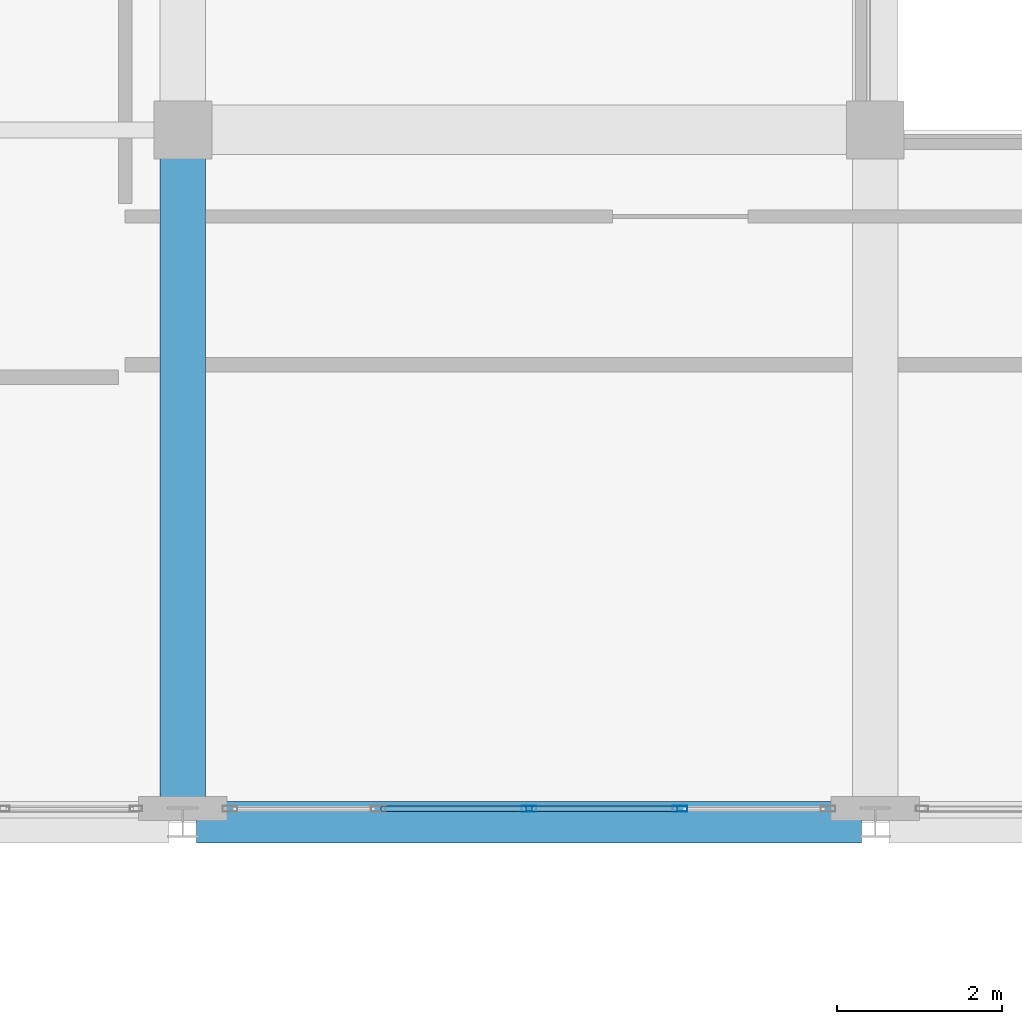
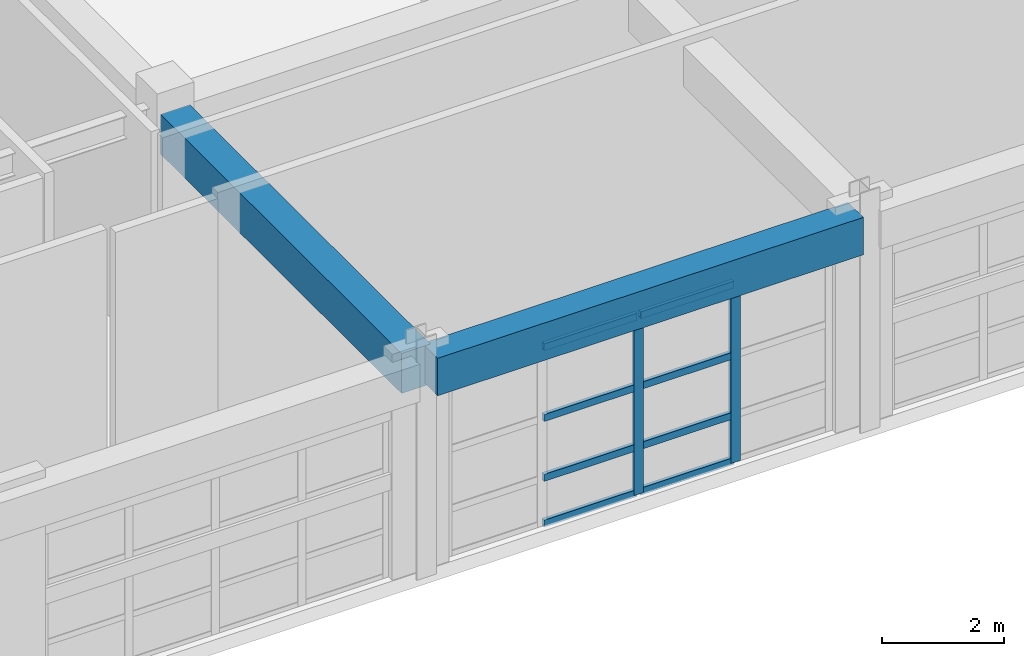
# One storey, part 32 of 123: 10 members, 2 beams, 1 element without a shape of its own.
"""IFC4 building model written with IfcOpenShell, lengths in metres."""

from ifc_helpers import new_model, si_unit, direction, frame, origin, origin_2d, place, context, subcontext, project, spatial, rectangle, hollow_rectangle, extrude, material, layer, layer_set, material_profile, profile_set, type_object, element, aggregate, save


model = new_model("IFC4")

# Units and contexts
model_context = context("Model", 3, precision=1e-05, world=origin(), true_north=direction((0.0, 1.0)))
body_context = subcontext(model_context, "Body", "Model", "MODEL_VIEW")
ifc_project = project(units=[si_unit("LENGTHUNIT", "METRE"), si_unit("AREAUNIT", "SQUARE_METRE"), si_unit("VOLUMEUNIT", "CUBIC_METRE"), si_unit("PLANEANGLEUNIT", "RADIAN"), si_unit("MASSUNIT", "GRAM", prefix="KILO")], contexts=[model_context])

# Site, building, storey
site_placement = place(None, origin())
site = spatial("IfcSite", under=ifc_project, at=site_placement, CompositionType="ELEMENT")
building_placement = place(site_placement, origin())
building = spatial("IfcBuilding", under=site, at=building_placement, Name="Quendrovan Civic Courthouse", CompositionType="ELEMENT")
storey_placement = place(building_placement, frame((0.0, 0.0, 5.39990234375)))
storey = spatial("IfcBuildingStorey", under=building, at=storey_placement, Name="L02", CompositionType="ELEMENT", Elevation=5.39990234375)

# Beams
ifc_material_1 = material(Name="Concrete C40/50", Category="concrete")
ifc_material_profile_1 = material_profile(ifc_material_1, rectangle(XDim=0.5, YDim=0.75, at=origin_2d()), Name="RC-BM-500x750")
ifc_profile_set_1 = profile_set([ifc_material_profile_1], Name="Concrete C40/50")
beam_type_1 = type_object("IfcBeamType", Name="BM-RC750", PredefinedType="SPANDREL", material=ifc_profile_set_1)
beam_1_placement = place(storey_placement, frame((42.1669921875, 64.800048828125, 3.985107421875), z_axis=(1.0, 0.0, 0.0), x_axis=(0.0, 1.0, 0.0)))
element("IfcBeam", 1, at=beam_1_placement, inside=storey, type_object=beam_type_1, Name="L02 Girder X0531", PredefinedType="SPANDREL", context=body_context, shape_type="SweptSolid", body=[
    extrude(rectangle(XDim=0.5, YDim=0.75, at=origin_2d()), origin(), (0.0, 0.0, 1.0), 8.06591796875),
])
ifc_material_profile_2 = material_profile(ifc_material_1, rectangle(XDim=0.550048828125, YDim=0.800048828125, at=origin_2d()), Name="RC-BM-550x800")
ifc_profile_set_2 = profile_set([ifc_material_profile_2], Name="Concrete C40/50")
beam_type_2 = type_object("IfcBeamType", Name="BM-RC800", PredefinedType="BEAM", material=ifc_profile_set_2)
beam_2_placement = place(storey_placement, frame((42.0, 64.966064453125, 3.960205078125), z_axis=(0.0, 1.0, 0.0), x_axis=(-1.0, 0.0, 0.0)))
element("IfcBeam", 2, at=beam_2_placement, inside=storey, type_object=beam_type_2, Name="L02 Girder Y0645", PredefinedType="BEAM", context=body_context, shape_type="SweptSolid", body=[
    extrude(rectangle(XDim=0.550048828125, YDim=0.800048828125, at=origin_2d()), origin(), (0.0, 0.0, 1.0), 7.904052734375),
])

# Curtain wall, members
ifc_material_2 = material(Name="Bronze anodised aluminium and low-E glass", Category="aluminium")
ifc_layer = layer(ifc_material_2, 0.179931640625, Name="Bronze anodised aluminium and low-E glass")
ifc_layer_set = layer_set([ifc_layer], Name="Bronze anodised aluminium and low-E glass")
curtain_wall_type = type_object("IfcCurtainWallType", Name="CW-U73x36", PredefinedType="USERDEFINED", material=ifc_layer_set)
curtain_wall_placement = place(storey_placement, origin())
curtain_wall = element("IfcCurtainWall", 3, at=curtain_wall_placement, inside=storey, type_object=curtain_wall_type, Name="L02 Unitised Hurricane Curtain Wall CW-112", ObjectType="UNITISED CURTAIN WALL", PredefinedType="USERDEFINED")
ifc_material_3 = material(Name="Bronze anodised aluminium", Category="aluminium")
ifc_material_profile_3 = material_profile(ifc_material_3, hollow_rectangle(XDim=0.070068359375, YDim=0.179931640625, WallThickness=0.00390625, at=origin_2d()), Name="CW-MULL-70x180")
ifc_profile_set_3 = profile_set([ifc_material_profile_3], Name="Bronze anodised aluminium")
member_type_1 = type_object("IfcMemberType", Name="CW-MULL-A", PredefinedType="MULLION", material=ifc_profile_set_3)
member_1_placement = place(storey_placement, frame((48.031494140625, 64.965087890625, 0.0), z_axis=(0.0, 0.0, 1.0), x_axis=(0.0, -1.0, 0.0)))
member_1 = element("IfcMember", 4, at=member_1_placement, type_object=member_type_1, Name="CW-112 mullion 2", PredefinedType="MULLION", context=body_context, shape_type="SweptSolid", body=[
    extrude(hollow_rectangle(XDim=0.070068359375, YDim=0.179931640625, WallThickness=0.00390625, at=origin_2d()), origin(), (0.0, 0.0, 1.0), 3.60009765625),
])
member_2_placement = place(storey_placement, frame((46.199951171875, 64.965087890625, 0.0), z_axis=(0.0, 0.0, 1.0), x_axis=(0.0, -1.0, 0.0)))
member_2 = element("IfcMember", 5, at=member_2_placement, type_object=member_type_1, Name="CW-112 mullion 3", PredefinedType="MULLION", context=body_context, shape_type="SweptSolid", body=[
    extrude(hollow_rectangle(XDim=0.070068359375, YDim=0.179931640625, WallThickness=0.00390625, at=origin_2d()), origin(), (0.0, 0.0, 1.0), 3.60009765625),
])
ifc_material_profile_4 = material_profile(ifc_material_3, hollow_rectangle(XDim=0.070068359375, YDim=0.139892578125, WallThickness=0.00390625, at=origin_2d()), Name="CW-TRAN-70x140")
ifc_profile_set_4 = profile_set([ifc_material_profile_4], Name="Bronze anodised aluminium")
member_type_2 = type_object("IfcMemberType", Name="CW-TRAN-A", PredefinedType="USERDEFINED", material=ifc_profile_set_4)
member_3_placement = place(storey_placement, frame((47.99658203125, 64.965087890625, 0.03515625), z_axis=(-1.0, 0.0, 0.0), x_axis=(0.0, -1.0, 0.0)))
member_3 = element("IfcMember", 6, at=member_3_placement, type_object=member_type_2, Name="CW-112 transom 2.1", ObjectType="TRANSOM", PredefinedType="USERDEFINED", context=body_context, shape_type="SweptSolid", body=[
    extrude(hollow_rectangle(XDim=0.070068359375, YDim=0.139892578125, WallThickness=0.00390625, at=origin_2d()), origin(), (0.0, 0.0, 1.0), 1.761474609375),
])
member_4_placement = place(storey_placement, frame((47.99658203125, 64.965087890625, 0.9501953125), z_axis=(-1.0, 0.0, 0.0), x_axis=(0.0, -1.0, 0.0)))
member_4 = element("IfcMember", 7, at=member_4_placement, type_object=member_type_2, Name="CW-112 transom 2.2", ObjectType="TRANSOM", PredefinedType="USERDEFINED", context=body_context, shape_type="SweptSolid", body=[
    extrude(hollow_rectangle(XDim=0.070068359375, YDim=0.139892578125, WallThickness=0.00390625, at=origin_2d()), origin(), (0.0, 0.0, 1.0), 1.761474609375),
])
member_5_placement = place(storey_placement, frame((47.99658203125, 64.965087890625, 2.150146484375), z_axis=(-1.0, 0.0, 0.0), x_axis=(0.0, -1.0, 0.0)))
member_5 = element("IfcMember", 8, at=member_5_placement, type_object=member_type_2, Name="CW-112 transom 2.3", ObjectType="TRANSOM", PredefinedType="USERDEFINED", context=body_context, shape_type="SweptSolid", body=[
    extrude(hollow_rectangle(XDim=0.070068359375, YDim=0.139892578125, WallThickness=0.00390625, at=origin_2d()), origin(), (0.0, 0.0, 1.0), 1.761474609375),
])
member_6_placement = place(storey_placement, frame((47.99658203125, 64.965087890625, 3.565185546875), z_axis=(-1.0, 0.0, 0.0), x_axis=(0.0, -1.0, 0.0)))
member_6 = element("IfcMember", 9, at=member_6_placement, type_object=member_type_2, Name="CW-112 transom 2.4", ObjectType="TRANSOM", PredefinedType="USERDEFINED", context=body_context, shape_type="SweptSolid", body=[
    extrude(hollow_rectangle(XDim=0.070068359375, YDim=0.139892578125, WallThickness=0.00390625, at=origin_2d()), origin(), (0.0, 0.0, 1.0), 1.761474609375),
])
member_7_placement = place(storey_placement, frame((46.1650390625, 64.965087890625, 0.03515625), z_axis=(-1.0, 0.0, 0.0), x_axis=(0.0, -1.0, 0.0)))
member_7 = element("IfcMember", 10, at=member_7_placement, type_object=member_type_2, Name="CW-112 transom 3.1", ObjectType="TRANSOM", PredefinedType="USERDEFINED", context=body_context, shape_type="SweptSolid", body=[
    extrude(hollow_rectangle(XDim=0.070068359375, YDim=0.139892578125, WallThickness=0.00390625, at=origin_2d()), origin(), (0.0, 0.0, 1.0), 1.761474609375),
])
member_8_placement = place(storey_placement, frame((46.1650390625, 64.965087890625, 0.9501953125), z_axis=(-1.0, 0.0, 0.0), x_axis=(0.0, -1.0, 0.0)))
member_8 = element("IfcMember", 11, at=member_8_placement, type_object=member_type_2, Name="CW-112 transom 3.2", ObjectType="TRANSOM", PredefinedType="USERDEFINED", context=body_context, shape_type="SweptSolid", body=[
    extrude(hollow_rectangle(XDim=0.070068359375, YDim=0.139892578125, WallThickness=0.00390625, at=origin_2d()), origin(), (0.0, 0.0, 1.0), 1.761474609375),
])
member_9_placement = place(storey_placement, frame((46.1650390625, 64.965087890625, 2.150146484375), z_axis=(-1.0, 0.0, 0.0), x_axis=(0.0, -1.0, 0.0)))
member_9 = element("IfcMember", 12, at=member_9_placement, type_object=member_type_2, Name="CW-112 transom 3.3", ObjectType="TRANSOM", PredefinedType="USERDEFINED", context=body_context, shape_type="SweptSolid", body=[
    extrude(hollow_rectangle(XDim=0.070068359375, YDim=0.139892578125, WallThickness=0.00390625, at=origin_2d()), origin(), (0.0, 0.0, 1.0), 1.761474609375),
])
member_10_placement = place(storey_placement, frame((46.1650390625, 64.965087890625, 3.565185546875), z_axis=(-1.0, 0.0, 0.0), x_axis=(0.0, -1.0, 0.0)))
member_10 = element("IfcMember", 13, at=member_10_placement, type_object=member_type_2, Name="CW-112 transom 3.4", ObjectType="TRANSOM", PredefinedType="USERDEFINED", context=body_context, shape_type="SweptSolid", body=[
    extrude(hollow_rectangle(XDim=0.070068359375, YDim=0.139892578125, WallThickness=0.00390625, at=origin_2d()), origin(), (0.0, 0.0, 1.0), 1.761474609375),
])
aggregate(curtain_wall, [member_1, member_2, member_3, member_4, member_5, member_6, member_7, member_8, member_9, member_10])

save(model, "model.ifc")
